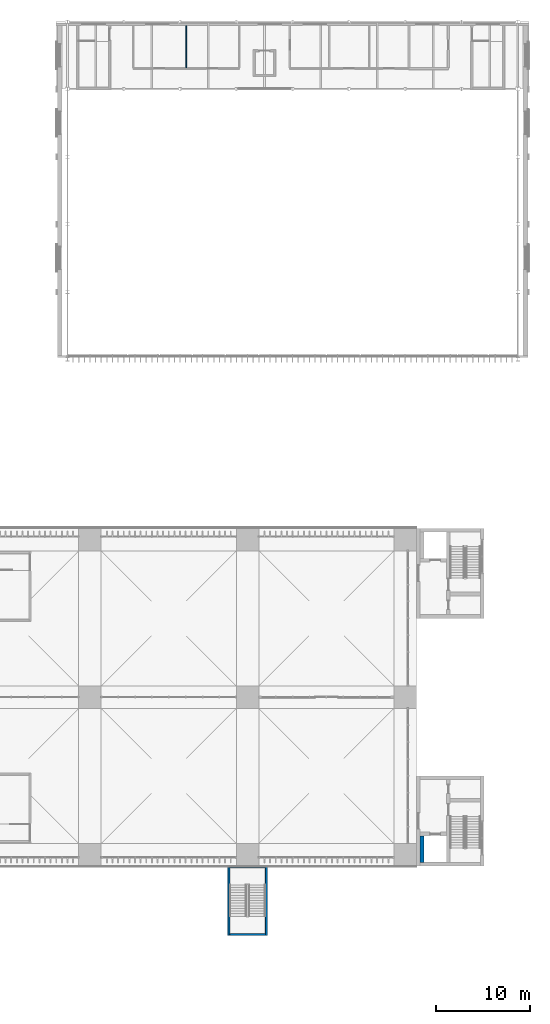
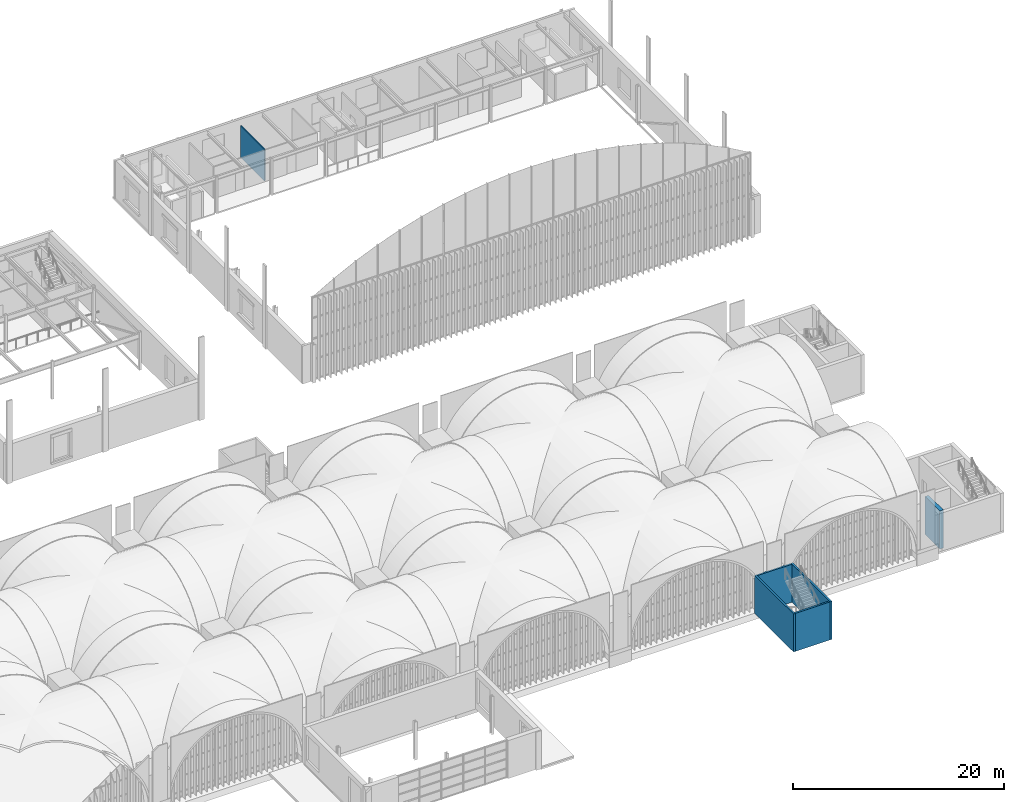
# One storey, part 102 of 169: 6 walls.
"""IFC4 building model written with IfcOpenShell, lengths in metres."""

from ifc_helpers import new_model, si_unit, direction, frame, frame_2d, origin, place, context, subcontext, project, spatial, rectangle, extrude, material, layer, layer_set, type_object, element, save


model = new_model("IFC4")

# Units and contexts
model_context = context("Model", 3, precision=1e-05, world=origin(), true_north=direction((0.0, 1.0)))
body_context = subcontext(model_context, "Body", "Model", "MODEL_VIEW")
ifc_project = project(units=[si_unit("LENGTHUNIT", "METRE"), si_unit("AREAUNIT", "SQUARE_METRE"), si_unit("VOLUMEUNIT", "CUBIC_METRE"), si_unit("PLANEANGLEUNIT", "RADIAN"), si_unit("MASSUNIT", "GRAM", prefix="KILO")], contexts=[model_context])

# Site, building, storey
site_placement = place(None, origin())
site = spatial("IfcSite", under=ifc_project, at=site_placement, CompositionType="ELEMENT")
building_placement = place(site_placement, origin())
building = spatial("IfcBuilding", under=site, at=building_placement, Name="Verrick Yard Athletic Hall", CompositionType="ELEMENT")
storey_placement = place(building_placement, frame((0.0, 0.0, 4.39990234375)))
storey = spatial("IfcBuildingStorey", under=building, at=storey_placement, Name="L01", CompositionType="ELEMENT", Elevation=4.39990234375)

# Walls
ifc_material_1 = material(Name="Concrete 35 MPa", Category="concrete")
ifc_layer_1 = layer(ifc_material_1, 0.39990234375)
ifc_layer_set_1 = layer_set([ifc_layer_1], Name="Core wall CR400")
wall_type_1 = type_object("IfcWallType", Name="Core wall CR400", PredefinedType="SHEAR", material=ifc_layer_set_1)
wall_1_placement = place(storey_placement, frame((159.39990234375, 18.39990234375, 0.0), z_axis=(0.0, 0.0, 1.0), x_axis=(0.0, 1.0, 0.0)))
element("IfcWall", 1, at=wall_1_placement, inside=storey, type_object=wall_type_1, Name="CORE-CB3-WLE-L01", PredefinedType="SHEAR", context=body_context, shape_type="SweptSolid", body=[
    extrude(rectangle(XDim=2.800048828125, YDim=0.39990234375, at=frame_2d((1.39990234375, 0.0))), origin(), (0.0, 0.0, 1.0), 4.400146484375),
])
ifc_layer_2 = layer(ifc_material_1, 0.199951171875)
ifc_layer_set_2 = layer_set([ifc_layer_2], Name="External enclosure wall CR200")
wall_type_2 = type_object("IfcWallType", Name="External enclosure wall CR200", PredefinedType="SOLIDWALL", material=ifc_layer_set_2)
for number, where, z_axis, x_axis, name in (
    (2, (138.800048828125, 10.60009765625, 0.0), (0.0, 0.0, 1.0), (0.0, 1.0, 0.0), "CORE-DT-S2-WW-L01"),
    (3, (142.800048828125, 18.0, 0.0), (0.0, 0.0, 1.0), (0.0, -1.0, 0.0), "CORE-DT-S2-WE-L01"),
):
    element("IfcWall", number, at=place(storey_placement, frame(where, z_axis=z_axis, x_axis=x_axis)), inside=storey, type_object=wall_type_2, Name=name, PredefinedType="SOLIDWALL", context=body_context, shape_type="SweptSolid", body=[
        extrude(rectangle(XDim=7.39990234375, YDim=0.199951171875, at=frame_2d((3.699951171875, 0.0))), origin(), (0.0, 0.0, 1.0), 4.400146484375),
    ])
for number, where, z_axis, x_axis, name in (
    (4, (138.89990234375, 10.699951171875, 0.0), (0.0, 0.0, 1.0), (1.0, 0.0, 0.0), "CORE-DT-S2-WS-L01"),
    (5, (138.89990234375, 17.89990234375, 0.0), (0.0, 0.0, 1.0), (1.0, 0.0, 0.0), "CORE-DT-S2-WN-L01"),
):
    element("IfcWall", number, at=place(storey_placement, frame(where, z_axis=z_axis, x_axis=x_axis)), inside=storey, type_object=wall_type_2, Name=name, PredefinedType="SOLIDWALL", context=body_context, shape_type="SweptSolid", body=[
        extrude(rectangle(XDim=3.800048828125, YDim=0.199951171875, at=frame_2d((1.89990234375, 0.0))), origin(), (0.0, 0.0, 1.0), 4.400146484375),
    ])
ifc_material_2 = material(Name="Gypsum plasterboard on light-gauge studs")
ifc_layer_3 = layer(ifc_material_2, 0.125)
ifc_layer_set_3 = layer_set([ifc_layer_3], Name="PW2 Stud partition 125")
wall_type_3 = type_object("IfcWallType", Name="PW2 Stud partition 125", PredefinedType="PARTITIONING", material=ifc_layer_set_3)
wall_2_placement = place(storey_placement, frame((134.25, 103.0625, 0.0), z_axis=(0.0, 0.0, 1.0), x_axis=(0.0, 1.0, 0.0)))
element("IfcWall", 6, at=wall_2_placement, inside=storey, type_object=wall_type_3, Name="Partition PW2", PredefinedType="PARTITIONING", context=body_context, shape_type="SweptSolid", body=[
    extrude(rectangle(XDim=4.529052734375, YDim=0.125, at=frame_2d((2.2646484375, 0.0))), origin(), (0.0, 0.0, 1.0), 3.650146484375),
])

save(model, "model.ifc")
